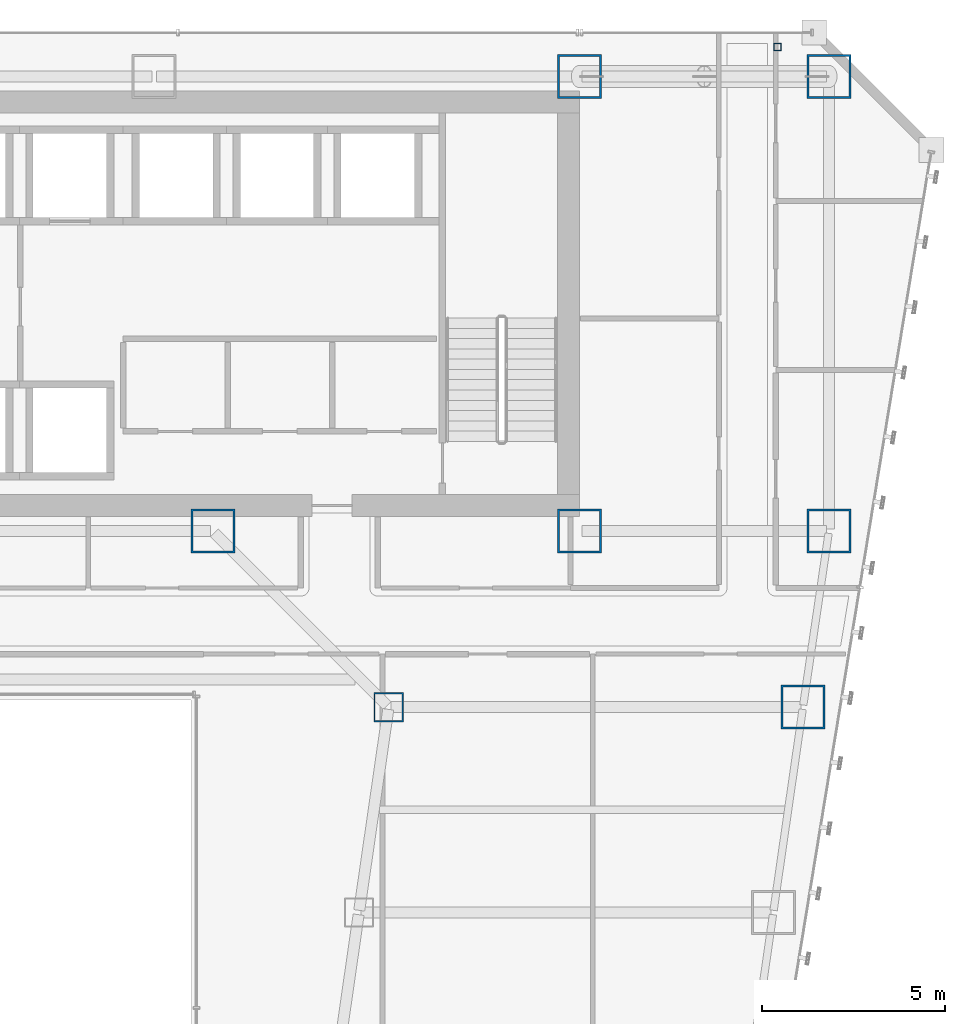
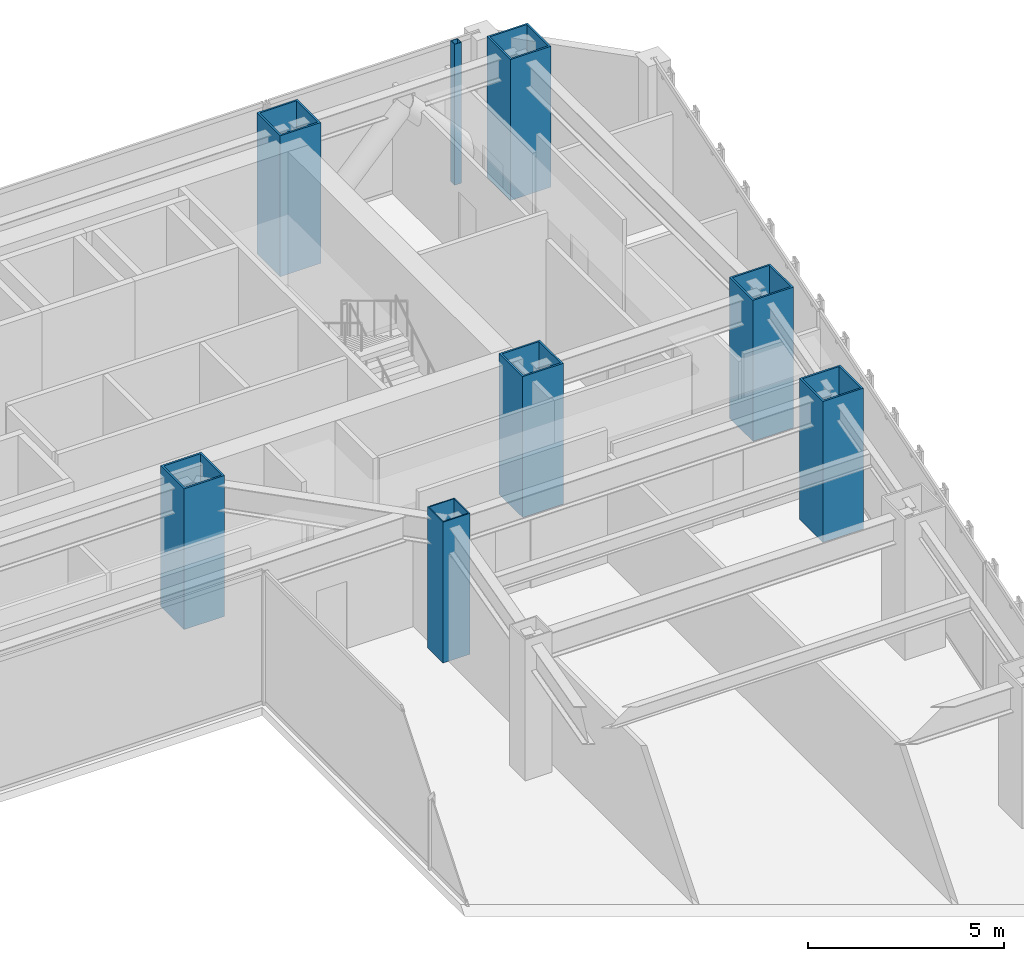
# One storey, part 3 of 49: 8 columns.
"""IFC4 building model written with IfcOpenShell, lengths in metres."""

from ifc_helpers import new_model, si_unit, direction, frame, origin, origin_2d, place, context, subcontext, project, spatial, hollow_rectangle, extrude, material, material_profile, profile_set, type_object, element, save


model = new_model("IFC4")

# Units and contexts
model_context = context("Model", 3, precision=1e-05, world=origin(), true_north=direction((0.0, 1.0)))
body_context = subcontext(model_context, "Body", "Model", "MODEL_VIEW")
ifc_project = project(units=[si_unit("LENGTHUNIT", "METRE"), si_unit("AREAUNIT", "SQUARE_METRE"), si_unit("VOLUMEUNIT", "CUBIC_METRE"), si_unit("PLANEANGLEUNIT", "RADIAN"), si_unit("MASSUNIT", "GRAM", prefix="KILO")], contexts=[model_context])

# Site, building, storey
site_placement = place(None, origin())
site = spatial("IfcSite", under=ifc_project, at=site_placement, CompositionType="ELEMENT")
building_placement = place(site_placement, origin())
building = spatial("IfcBuilding", under=site, at=building_placement, Name="Saevonmaru Cultural Tower", CompositionType="ELEMENT")
storey_placement = place(building_placement, frame((0.0, 0.0, 73.60009765625)))
storey = spatial("IfcBuildingStorey", under=building, at=storey_placement, Name="L15", CompositionType="ELEMENT", Elevation=73.60009765625)

# Columns
ifc_material_1 = material(Name="Steel HSA600 (600 MPa)", Category="steel")
ifc_material_profile_1 = material_profile(ifc_material_1, hollow_rectangle(XDim=1.199951171875, YDim=1.199951171875, WallThickness=0.054931640625, at=origin_2d()), Name="BOX-1200x1200x55")
ifc_profile_set_1 = profile_set([ifc_material_profile_1], Name="Steel HSA600 (600 MPa)")
column_type_1 = type_object("IfcColumnType", Name="COL-BOX-1200", PredefinedType="COLUMN", material=ifc_profile_set_1)
for number, where, z_axis, x_axis, name in (
    (1, (46.39990234375, 54.800048828125, 0.0), (0.0, 0.0, 1.0), (1.0, 0.0, 0.0), "L15 Column TC-N5N"),
    (2, (53.199951171875, 54.800048828125, 0.0), (0.0, 0.0, 1.0), (1.0, 0.0, 0.0), "L15 Column TC-N6N"),
    (3, (36.39990234375, 42.39990234375, 0.0), (0.0, 0.0, 1.0), (1.0, 0.0, 0.0), "L15 Column TC-S4C"),
    (4, (46.39990234375, 42.39990234375, 0.0), (0.0, 0.0, 1.0), (1.0, 0.0, 0.0), "L15 Column TC-S5C"),
    (5, (53.199951171875, 42.39990234375, 0.0), (0.0, 0.0, 1.0), (1.0, 0.0, 0.0), "L15 Column TC-S6C"),
    (6, (52.491943359375, 37.60009765625, 0.0), (0.0, 0.0, 1.0), (1.0, 0.0, 0.0), "L15 Column TC-EO-Y376"),
):
    element("IfcColumn", number, at=place(storey_placement, frame(where, z_axis=z_axis, x_axis=x_axis)), inside=storey, type_object=column_type_1, Name=name, PredefinedType="COLUMN", context=body_context, shape_type="SweptSolid", body=[
        extrude(hollow_rectangle(XDim=1.199951171875, YDim=1.199951171875, WallThickness=0.054931640625, at=origin_2d()), origin(), (0.0, 0.0, 1.0), 4.39990234375),
    ])
ifc_material_2 = material(Name="Steel SM420", Category="steel")
ifc_material_profile_2 = material_profile(ifc_material_2, hollow_rectangle(XDim=0.800048828125, YDim=0.800048828125, WallThickness=0.035888671875, at=origin_2d()), Name="BOX-800x800x36")
ifc_profile_set_2 = profile_set([ifc_material_profile_2], Name="Steel SM420")
column_type_2 = type_object("IfcColumnType", Name="COL-BOX-800", PredefinedType="COLUMN", material=ifc_profile_set_2)
column_1_placement = place(storey_placement, frame((41.19189453125, 37.60009765625, 0.0), z_axis=(0.0, 0.0, 1.0), x_axis=(1.0, 0.0, 0.0)))
element("IfcColumn", 7, at=column_1_placement, inside=storey, type_object=column_type_2, Name="L15 Column TC-EI-Y376", PredefinedType="COLUMN", context=body_context, shape_type="SweptSolid", body=[
    extrude(hollow_rectangle(XDim=0.800048828125, YDim=0.800048828125, WallThickness=0.035888671875, at=origin_2d()), origin(), (0.0, 0.0, 1.0), 4.39990234375),
])
ifc_material_3 = material(Name="Steel SM355", Category="steel")
ifc_material_profile_3 = material_profile(ifc_material_3, hollow_rectangle(XDim=0.199951171875, YDim=0.199951171875, WallThickness=0.010009765625, at=origin_2d()), Name="SHS-200x200x10")
ifc_profile_set_3 = profile_set([ifc_material_profile_3], Name="Steel SM355")
column_type_3 = type_object("IfcColumnType", Name="PIL-SHS-200", PredefinedType="PILASTER", material=ifc_profile_set_3)
column_2_placement = place(storey_placement, frame((51.800048828125, 55.60009765625, 0.0), z_axis=(0.0, 0.0, 1.0), x_axis=(1.0, 0.0, 0.0)))
element("IfcColumn", 8, at=column_2_placement, inside=storey, type_object=column_type_3, Name="L15 Art Deco Bronze-Clad Pilaster PIL-NE", PredefinedType="PILASTER", context=body_context, shape_type="SweptSolid", body=[
    extrude(hollow_rectangle(XDim=0.199951171875, YDim=0.199951171875, WallThickness=0.010009765625, at=origin_2d()), origin(), (0.0, 0.0, 1.0), 4.39990234375),
])

save(model, "model.ifc")
